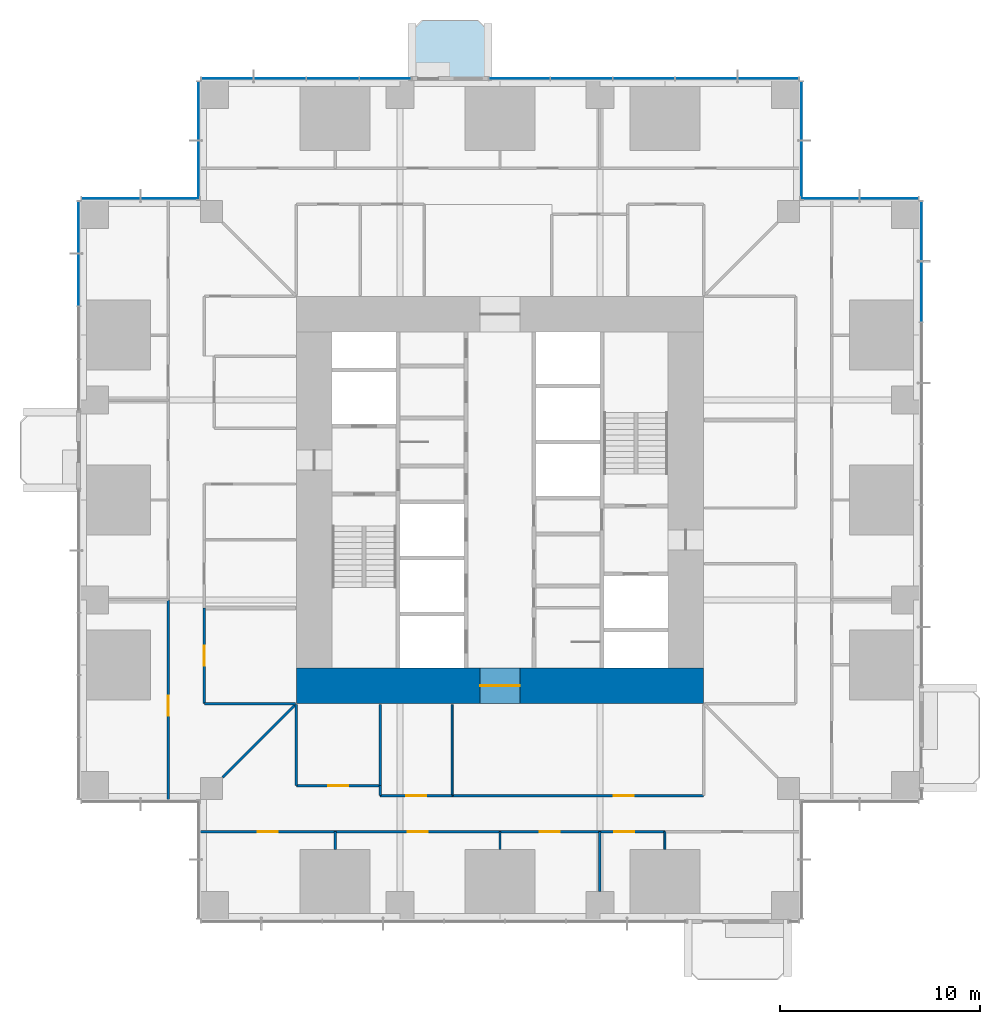
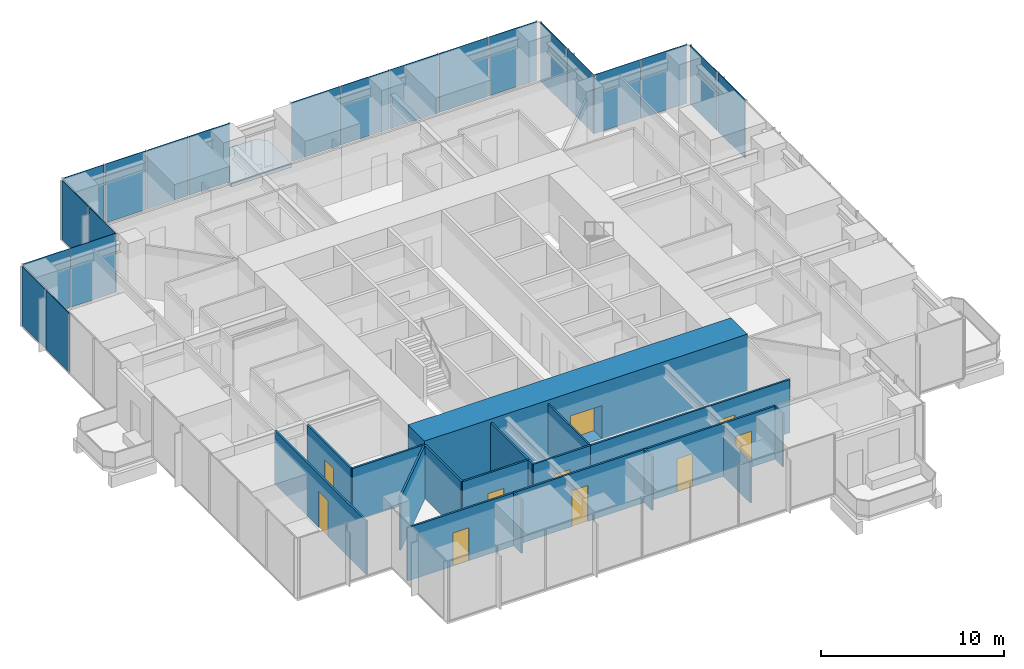
# One storey, part 9 of 17: 21 plates, 20 walls, 10 doors, 1 slab, 10 openings, 8 elements without a shape of their own.
"""IFC4 building model written with IfcOpenShell, lengths in metres."""

from ifc_helpers import new_model, si_unit, direction, frame, frame_2d, origin, origin_2d, place, context, subcontext, project, spatial, polyline, rectangle, outline, extrude, material, layer, layer_set, type_object, element, fill, aggregate, save


model = new_model("IFC4")

# Units and contexts
model_context = context("Model", 3, precision=1e-05, world=origin(), true_north=direction((0.0, 1.0)))
body_context = subcontext(model_context, "Body", "Model", "MODEL_VIEW")
ifc_project = project(units=[si_unit("LENGTHUNIT", "METRE"), si_unit("AREAUNIT", "SQUARE_METRE"), si_unit("VOLUMEUNIT", "CUBIC_METRE"), si_unit("PLANEANGLEUNIT", "RADIAN"), si_unit("MASSUNIT", "GRAM", prefix="KILO")], contexts=[model_context])

# Site, building, storey
site_placement = place(None, origin())
site = spatial("IfcSite", under=ifc_project, at=site_placement, CompositionType="ELEMENT")
building_placement = place(site_placement, origin())
building = spatial("IfcBuilding", under=site, at=building_placement, Name="Svetlomir Tower", CompositionType="ELEMENT")
storey_placement = place(building_placement, frame((0.0, 0.0, 82.5)))
storey = spatial("IfcBuildingStorey", under=building, at=storey_placement, Name="L19", CompositionType="ELEMENT", Elevation=82.5)

# Slab
ifc_material_1 = material(Name="Concrete C60/75", Category="concrete")
ifc_layer_1 = layer(ifc_material_1, 0.25)
ifc_layer_set_1 = layer_set([ifc_layer_1], Name="Concrete C60/75")
slab_type = type_object("IfcSlabType", Name="BALCONY SLAB 250", PredefinedType="FLOOR", material=ifc_layer_set_1)
slab_placement = place(storey_placement, frame((0.0, 0.0, -0.25)))
element("IfcSlab", 1, at=slab_placement, inside=storey, type_object=slab_type, Name="L19 N planted balcony", PredefinedType="FLOOR", context=body_context, shape_type="SweptSolid", body=[
    extrude(outline(polyline([(16.60009765625, 42.0), (20.39990234375, 42.0), (20.39990234375, 44.5), (19.89990234375, 45.0), (17.10009765625, 45.0), (16.60009765625, 44.5), (16.60009765625, 42.0)])), origin(), (0.0, 0.0, 1.0), 0.25),
])

# Curtain wall, plates
ifc_material_2 = material(Name="Bronze anodised aluminium curtain wall", Category="aluminium")
curtain_wall_type = type_object("IfcCurtainWallType", Name="CURTAIN WALL CW1 TOWER OFFICE", PredefinedType="NOTDEFINED", material=ifc_material_2)
curtain_wall_1_placement = place(storey_placement, origin())
curtain_wall_1 = element("IfcCurtainWall", 2, at=curtain_wall_1_placement, inside=storey, type_object=curtain_wall_type, Name="Curtain wall CW1 L19", PredefinedType="NOTDEFINED")
ifc_material_3 = material(Name="Tinted double glazed unit", Category="glass")
ifc_layer_2 = layer(ifc_material_3, 0.031982421875)
ifc_layer_set_2 = layer_set([ifc_layer_2], Name="Tinted double glazed unit")
plate_type = type_object("IfcPlateType", Name="CW1 GLAZED PANEL 32", PredefinedType="CURTAIN_PANEL", material=ifc_layer_set_2)
plate_1_placement = place(storey_placement, frame((42.10009765625, 31.425048828125, 0.06494140625), z_axis=(0.0, 0.0, 1.0), x_axis=(0.0, 1.0, 0.0)))
plate_1 = element("IfcPlate", 3, at=plate_1_placement, type_object=plate_type, Name="CW1 panel 7.1", PredefinedType="CURTAIN_PANEL", context=body_context, shape_type="SweptSolid", body=[
    extrude(rectangle(XDim=2.985107421875, YDim=0.031982421875, at=origin_2d()), origin(), (0.0, 0.0, 1.0), 3.93505859375),
])
plate_2_placement = place(storey_placement, frame((42.10009765625, 34.458740234375, 0.06494140625), z_axis=(0.0, 0.0, 1.0), x_axis=(0.0, 1.0, 0.0)))
plate_2 = element("IfcPlate", 4, at=plate_2_placement, type_object=plate_type, Name="CW1 panel 8.1", PredefinedType="CURTAIN_PANEL", context=body_context, shape_type="SweptSolid", body=[
    extrude(rectangle(XDim=2.952392578125, YDim=0.031982421875, at=origin_2d()), origin(), (0.0, 0.0, 1.0), 3.93505859375),
])
aggregate(curtain_wall_1, [plate_1, plate_2])

curtain_wall_2_placement = place(storey_placement, origin())
curtain_wall_2 = element("IfcCurtainWall", 5, at=curtain_wall_2_placement, inside=storey, type_object=curtain_wall_type, Name="Curtain wall CW1 L19", PredefinedType="NOTDEFINED")
plate_3_placement = place(storey_placement, frame((40.483642578125, 36.10009765625, 0.06494140625), z_axis=(0.0, 0.0, 1.0), x_axis=(-1.0, 0.0, 0.0)))
plate_3 = element("IfcPlate", 6, at=plate_3_placement, type_object=plate_type, Name="CW1 panel 1.1", PredefinedType="CURTAIN_PANEL", context=body_context, shape_type="SweptSolid", body=[
    extrude(rectangle(XDim=2.902587890625, YDim=0.031982421875, at=origin_2d()), origin(), (0.0, 0.0, 1.0), 3.93505859375),
])
plate_4_placement = place(storey_placement, frame((37.516357421875, 36.10009765625, 0.06494140625), z_axis=(0.0, 0.0, 1.0), x_axis=(-1.0, 0.0, 0.0)))
plate_4 = element("IfcPlate", 7, at=plate_4_placement, type_object=plate_type, Name="CW1 panel 2.1", PredefinedType="CURTAIN_PANEL", context=body_context, shape_type="SweptSolid", body=[
    extrude(rectangle(XDim=2.902587890625, YDim=0.031982421875, at=origin_2d()), origin(), (0.0, 0.0, 1.0), 3.93505859375),
])
aggregate(curtain_wall_2, [plate_3, plate_4])

curtain_wall_3_placement = place(storey_placement, origin())
curtain_wall_3 = element("IfcCurtainWall", 8, at=curtain_wall_3_placement, inside=storey, type_object=curtain_wall_type, Name="Curtain wall CW1 L19", PredefinedType="NOTDEFINED")
plate_5_placement = place(storey_placement, frame((36.10009765625, 37.516357421875, 0.06494140625), z_axis=(0.0, 0.0, 1.0), x_axis=(0.0, 1.0, 0.0)))
plate_5 = element("IfcPlate", 9, at=plate_5_placement, type_object=plate_type, Name="CW1 panel 1.1", PredefinedType="CURTAIN_PANEL", context=body_context, shape_type="SweptSolid", body=[
    extrude(rectangle(XDim=2.902587890625, YDim=0.031982421875, at=origin_2d()), origin(), (0.0, 0.0, 1.0), 3.93505859375),
])
plate_6_placement = place(storey_placement, frame((36.10009765625, 40.483642578125, 0.06494140625), z_axis=(0.0, 0.0, 1.0), x_axis=(0.0, 1.0, 0.0)))
plate_6 = element("IfcPlate", 10, at=plate_6_placement, type_object=plate_type, Name="CW1 panel 2.1", PredefinedType="CURTAIN_PANEL", context=body_context, shape_type="SweptSolid", body=[
    extrude(rectangle(XDim=2.902587890625, YDim=0.031982421875, at=origin_2d()), origin(), (0.0, 0.0, 1.0), 3.93505859375),
])
aggregate(curtain_wall_3, [plate_5, plate_6])

curtain_wall_4_placement = place(storey_placement, origin())
curtain_wall_4 = element("IfcCurtainWall", 11, at=curtain_wall_4_placement, inside=storey, type_object=curtain_wall_type, Name="Curtain wall CW1 L19", PredefinedType="NOTDEFINED")
plate_7_placement = place(storey_placement, frame((34.423828125, 42.10009765625, 0.06494140625), z_axis=(0.0, 0.0, 1.0), x_axis=(-1.0, 0.0, 0.0)))
plate_7 = element("IfcPlate", 12, at=plate_7_placement, type_object=plate_type, Name="CW1 panel 1.1", PredefinedType="CURTAIN_PANEL", context=body_context, shape_type="SweptSolid", body=[
    extrude(rectangle(XDim=3.0224609375, YDim=0.031982421875, at=origin_2d()), origin(), (0.0, 0.0, 1.0), 3.93505859375),
])
plate_8_placement = place(storey_placement, frame((31.320068359375, 42.10009765625, 0.06494140625), z_axis=(0.0, 0.0, 1.0), x_axis=(-1.0, 0.0, 0.0)))
plate_8 = element("IfcPlate", 13, at=plate_8_placement, type_object=plate_type, Name="CW1 panel 2.1", PredefinedType="CURTAIN_PANEL", context=body_context, shape_type="SweptSolid", body=[
    extrude(rectangle(XDim=3.054931640625, YDim=0.031982421875, at=origin_2d()), origin(), (0.0, 0.0, 1.0), 3.93505859375),
])
plate_9_placement = place(storey_placement, frame((28.199951171875, 42.10009765625, 0.06494140625), z_axis=(0.0, 0.0, 1.0), x_axis=(-1.0, 0.0, 0.0)))
plate_9 = element("IfcPlate", 14, at=plate_9_placement, type_object=plate_type, Name="CW1 panel 3.1", PredefinedType="CURTAIN_PANEL", context=body_context, shape_type="SweptSolid", body=[
    extrude(rectangle(XDim=3.054931640625, YDim=0.031982421875, at=origin_2d()), origin(), (0.0, 0.0, 1.0), 3.93505859375),
])
plate_10_placement = place(storey_placement, frame((25.080078125, 42.10009765625, 0.06494140625), z_axis=(0.0, 0.0, 1.0), x_axis=(-1.0, 0.0, 0.0)))
plate_10 = element("IfcPlate", 15, at=plate_10_placement, type_object=plate_type, Name="CW1 panel 4.1", PredefinedType="CURTAIN_PANEL", context=body_context, shape_type="SweptSolid", body=[
    extrude(rectangle(XDim=3.054931640625, YDim=0.031982421875, at=origin_2d()), origin(), (0.0, 0.0, 1.0), 3.93505859375),
])
plate_11_placement = place(storey_placement, frame((21.976318359375, 42.10009765625, 0.06494140625), z_axis=(0.0, 0.0, 1.0), x_axis=(-1.0, 0.0, 0.0)))
plate_11 = element("IfcPlate", 16, at=plate_11_placement, type_object=plate_type, Name="CW1 panel 5.1", PredefinedType="CURTAIN_PANEL", context=body_context, shape_type="SweptSolid", body=[
    extrude(rectangle(XDim=3.0224609375, YDim=0.031982421875, at=origin_2d()), origin(), (0.0, 0.0, 1.0), 3.93505859375),
])
aggregate(curtain_wall_4, [plate_7, plate_8, plate_9, plate_10, plate_11])

curtain_wall_5_placement = place(storey_placement, origin())
curtain_wall_5 = element("IfcCurtainWall", 17, at=curtain_wall_5_placement, inside=storey, type_object=curtain_wall_type, Name="Curtain wall CW1 L19", PredefinedType="NOTDEFINED")
plate_12_placement = place(storey_placement, frame((15.2587890625, 42.10009765625, 0.06494140625), z_axis=(0.0, 0.0, 1.0), x_axis=(-1.0, 0.0, 0.0)))
plate_12 = element("IfcPlate", 18, at=plate_12_placement, type_object=plate_type, Name="CW1 panel 1.1", PredefinedType="CURTAIN_PANEL", context=body_context, shape_type="SweptSolid", body=[
    extrude(rectangle(XDim=2.552490234375, YDim=0.031982421875, at=origin_2d()), origin(), (0.0, 0.0, 1.0), 3.93505859375),
])
plate_13_placement = place(storey_placement, frame((12.625, 42.10009765625, 0.06494140625), z_axis=(0.0, 0.0, 1.0), x_axis=(-1.0, 0.0, 0.0)))
plate_13 = element("IfcPlate", 19, at=plate_13_placement, type_object=plate_type, Name="CW1 panel 2.1", PredefinedType="CURTAIN_PANEL", context=body_context, shape_type="SweptSolid", body=[
    extrude(rectangle(XDim=2.5849609375, YDim=0.031982421875, at=origin_2d()), origin(), (0.0, 0.0, 1.0), 3.93505859375),
])
plate_14_placement = place(storey_placement, frame((9.97509765625, 42.10009765625, 0.06494140625), z_axis=(0.0, 0.0, 1.0), x_axis=(-1.0, 0.0, 0.0)))
plate_14 = element("IfcPlate", 20, at=plate_14_placement, type_object=plate_type, Name="CW1 panel 3.1", PredefinedType="CURTAIN_PANEL", context=body_context, shape_type="SweptSolid", body=[
    extrude(rectangle(XDim=2.5849609375, YDim=0.031982421875, at=origin_2d()), origin(), (0.0, 0.0, 1.0), 3.93505859375),
])
plate_15_placement = place(storey_placement, frame((7.34130859375, 42.10009765625, 0.06494140625), z_axis=(0.0, 0.0, 1.0), x_axis=(-1.0, 0.0, 0.0)))
plate_15 = element("IfcPlate", 21, at=plate_15_placement, type_object=plate_type, Name="CW1 panel 4.1", PredefinedType="CURTAIN_PANEL", context=body_context, shape_type="SweptSolid", body=[
    extrude(rectangle(XDim=2.552490234375, YDim=0.031982421875, at=origin_2d()), origin(), (0.0, 0.0, 1.0), 3.93505859375),
])
aggregate(curtain_wall_5, [plate_12, plate_13, plate_14, plate_15])

curtain_wall_6_placement = place(storey_placement, origin())
curtain_wall_6 = element("IfcCurtainWall", 22, at=curtain_wall_6_placement, inside=storey, type_object=curtain_wall_type, Name="Curtain wall CW1 L19", PredefinedType="NOTDEFINED")
plate_16_placement = place(storey_placement, frame((5.89990234375, 40.483642578125, 0.06494140625), z_axis=(0.0, 0.0, 1.0), x_axis=(0.0, -1.0, 0.0)))
plate_16 = element("IfcPlate", 23, at=plate_16_placement, type_object=plate_type, Name="CW1 panel 1.1", PredefinedType="CURTAIN_PANEL", context=body_context, shape_type="SweptSolid", body=[
    extrude(rectangle(XDim=2.902587890625, YDim=0.031982421875, at=origin_2d()), origin(), (0.0, 0.0, 1.0), 3.93505859375),
])
plate_17_placement = place(storey_placement, frame((5.89990234375, 37.516357421875, 0.06494140625), z_axis=(0.0, 0.0, 1.0), x_axis=(0.0, -1.0, 0.0)))
plate_17 = element("IfcPlate", 24, at=plate_17_placement, type_object=plate_type, Name="CW1 panel 2.1", PredefinedType="CURTAIN_PANEL", context=body_context, shape_type="SweptSolid", body=[
    extrude(rectangle(XDim=2.902587890625, YDim=0.031982421875, at=origin_2d()), origin(), (0.0, 0.0, 1.0), 3.93505859375),
])
aggregate(curtain_wall_6, [plate_16, plate_17])

curtain_wall_7_placement = place(storey_placement, origin())
curtain_wall_7 = element("IfcCurtainWall", 25, at=curtain_wall_7_placement, inside=storey, type_object=curtain_wall_type, Name="Curtain wall CW1 L19", PredefinedType="NOTDEFINED")
plate_18_placement = place(storey_placement, frame((4.483642578125, 36.10009765625, 0.06494140625), z_axis=(0.0, 0.0, 1.0), x_axis=(-1.0, 0.0, 0.0)))
plate_18 = element("IfcPlate", 26, at=plate_18_placement, type_object=plate_type, Name="CW1 panel 1.1", PredefinedType="CURTAIN_PANEL", context=body_context, shape_type="SweptSolid", body=[
    extrude(rectangle(XDim=2.902587890625, YDim=0.031982421875, at=origin_2d()), origin(), (0.0, 0.0, 1.0), 3.93505859375),
])
plate_19_placement = place(storey_placement, frame((1.516357421875, 36.10009765625, 0.06494140625), z_axis=(0.0, 0.0, 1.0), x_axis=(-1.0, 0.0, 0.0)))
plate_19 = element("IfcPlate", 27, at=plate_19_placement, type_object=plate_type, Name="CW1 panel 2.1", PredefinedType="CURTAIN_PANEL", context=body_context, shape_type="SweptSolid", body=[
    extrude(rectangle(XDim=2.902587890625, YDim=0.031982421875, at=origin_2d()), origin(), (0.0, 0.0, 1.0), 3.93505859375),
])
aggregate(curtain_wall_7, [plate_18, plate_19])

curtain_wall_8_placement = place(storey_placement, origin())
curtain_wall_8 = element("IfcCurtainWall", 28, at=curtain_wall_8_placement, inside=storey, type_object=curtain_wall_type, Name="Curtain wall CW1 L19", PredefinedType="NOTDEFINED")
plate_20_placement = place(storey_placement, frame((-0.10009765625, 34.65869140625, 0.06494140625), z_axis=(0.0, 0.0, 1.0), x_axis=(0.0, -1.0, 0.0)))
plate_20 = element("IfcPlate", 29, at=plate_20_placement, type_object=plate_type, Name="CW1 panel 1.1", PredefinedType="CURTAIN_PANEL", context=body_context, shape_type="SweptSolid", body=[
    extrude(rectangle(XDim=2.552490234375, YDim=0.031982421875, at=origin_2d()), origin(), (0.0, 0.0, 1.0), 3.93505859375),
])
plate_21_placement = place(storey_placement, frame((-0.10009765625, 32.02490234375, 0.06494140625), z_axis=(0.0, 0.0, 1.0), x_axis=(0.0, -1.0, 0.0)))
plate_21 = element("IfcPlate", 30, at=plate_21_placement, type_object=plate_type, Name="CW1 panel 2.1", PredefinedType="CURTAIN_PANEL", context=body_context, shape_type="SweptSolid", body=[
    extrude(rectangle(XDim=2.5849609375, YDim=0.031982421875, at=origin_2d()), origin(), (0.0, 0.0, 1.0), 3.93505859375),
])
aggregate(curtain_wall_8, [plate_20, plate_21])

# Wall, opening, door
ifc_material_4 = material(Name="Concrete C60/75", Category="concrete")
ifc_layer_3 = layer(ifc_material_4, 1.800048828125)
ifc_layer_set_3 = layer_set([ifc_layer_3], Name="Concrete C60/75")
wall_type_1 = type_object("IfcWallType", Name="CORE WALL 1800", PredefinedType="SHEAR", material=ifc_layer_set_3)
wall_1_placement = place(storey_placement, frame((10.800048828125, 11.699951171875, -0.050048828125), z_axis=(0.0, 0.0, 1.0), x_axis=(1.0, 0.0, 0.0)))
wall_1 = element("IfcWall", 31, at=wall_1_placement, inside=storey, type_object=wall_type_1, Name="Core wall south L19", PredefinedType="SHEAR", context=body_context, shape_type="SweptSolid", body=[
    extrude(rectangle(XDim=20.39990234375, YDim=1.800048828125, at=frame_2d((10.199951171875, 0.0))), origin(), (0.0, 0.0, 1.0), 3.800048828125),
])
opening_1_placement = place(wall_1_placement, frame((9.199951171875, 0.0, 0.050048828125)))
opening_1 = element("IfcOpeningElement", 32, at=opening_1_placement, cuts=wall_1, Name="Opening DL", PredefinedType="OPENING", context=body_context, shape_type="SweptSolid", body=[
    extrude(rectangle(XDim=2.0, YDim=2.199951171875, at=frame_2d((1.0, 1.10009765625))), frame((0.0, 0.91015625, 0.0), z_axis=(0.0, -1.0, 0.0), x_axis=(1.0, 0.0, 0.0)), (0.0, 0.0, 1.0), 1.820068359375),
])
ifc_material_5 = material(Name="Steel fire door", Category="steel")
door_type_1 = type_object("IfcDoorType", Name="DOOR DL 2000x2200", OperationType="DOUBLE_DOOR_SINGLE_SWING", PredefinedType="DOOR", material=ifc_material_5)
door_1_placement = place(opening_1_placement, origin())
door_1 = element("IfcDoor", 33, at=door_1_placement, inside=storey, type_object=door_type_1, Name="Lift lobby south door L19", OperationType="DOUBLE_DOOR_SINGLE_SWING", OverallHeight=2.199951171875, OverallWidth=2.0, PredefinedType="DOOR", context=body_context, shape_type="SweptSolid", body=[
    extrude(rectangle(XDim=2.0, YDim=2.199951171875, at=frame_2d((1.0, 1.10009765625))), frame((0.0, 0.02490234375, 0.0), z_axis=(0.0, -1.0, 0.0), x_axis=(1.0, 0.0, 0.0)), (0.0, 0.0, 1.0), 0.050048828125),
])
fill(opening_1, door_1)

# Walls
ifc_material_6 = material(Name="Framed laminated glass partition", Category="glass")
ifc_layer_4 = layer(ifc_material_6, 0.10009765625)
ifc_layer_set_4 = layer_set([ifc_layer_4], Name="Framed laminated glass partition")
wall_type_2 = type_object("IfcWallType", Name="GLAZED PARTITION 100", PredefinedType="PARTITIONING", material=ifc_layer_set_4)
wall_2_placement = place(storey_placement, frame((18.60009765625, 6.199951171875, 0.0), z_axis=(0.0, 0.0, 1.0), x_axis=(0.0, 1.0, 0.0)))
element("IfcWall", 34, at=wall_2_placement, inside=storey, type_object=wall_type_2, Name="Glazed partition L19", PredefinedType="PARTITIONING", context=body_context, shape_type="SweptSolid", body=[
    extrude(rectangle(XDim=4.550048828125, YDim=0.10009765625, at=frame_2d((2.27490234375, 0.0))), origin(), (0.0, 0.0, 1.0), 3.550048828125),
])
wall_3_placement = place(storey_placement, frame((29.25, 3.510009765625, 0.0), z_axis=(0.0, 0.0, 1.0), x_axis=(0.0, 1.0, 0.0)))
element("IfcWall", 35, at=wall_3_placement, inside=storey, type_object=wall_type_2, Name="Glazed partition L19", PredefinedType="PARTITIONING", context=body_context, shape_type="SweptSolid", body=[
    extrude(rectangle(XDim=0.889892578125, YDim=0.10009765625, at=frame_2d((0.44482421875, 0.0))), origin(), (0.0, 0.0, 1.0), 3.550048828125),
])

# Wall, opening, door
ifc_material_7 = material(Name="Gypsum board on steel studs", Category="steel")
ifc_layer_5 = layer(ifc_material_7, 0.1201171875)
ifc_layer_set_5 = layer_set([ifc_layer_5], Name="Gypsum board on steel studs")
wall_type_3 = type_object("IfcWallType", Name="PARTITION 120", PredefinedType="PARTITIONING", material=ifc_layer_set_5)
wall_4_placement = place(storey_placement, frame((4.39990234375, 6.0, 0.0), z_axis=(0.0, 0.0, 1.0), x_axis=(0.0, 1.0, 0.0)))
wall_4 = element("IfcWall", 36, at=wall_4_placement, inside=storey, type_object=wall_type_3, Name="Partition L19", PredefinedType="PARTITIONING", context=body_context, shape_type="SweptSolid", body=[
    extrude(rectangle(XDim=10.0, YDim=0.1201171875, at=frame_2d((5.0, 0.0))), origin(), (0.0, 0.0, 1.0), 3.550048828125),
])
opening_2_placement = place(wall_4_placement, frame((4.199951171875, 0.0, 0.0)))
opening_2 = element("IfcOpeningElement", 37, at=opening_2_placement, cuts=wall_4, Name="Opening DG", PredefinedType="OPENING", context=body_context, shape_type="SweptSolid", body=[
    extrude(rectangle(XDim=1.0, YDim=2.39990234375, at=frame_2d((0.5, 1.199951171875))), frame((0.0, 0.070068359375, 0.0), z_axis=(0.0, -1.0, 0.0), x_axis=(1.0, 0.0, 0.0)), (0.0, 0.0, 1.0), 0.14013671875),
])
ifc_material_8 = material(Name="Framed laminated glass door", Category="glass")
door_type_2 = type_object("IfcDoorType", Name="GLAZED DOOR DG 1000x2400", OperationType="SINGLE_SWING_LEFT", PredefinedType="DOOR", material=ifc_material_8)
door_2_placement = place(opening_2_placement, origin())
door_2 = element("IfcDoor", 38, at=door_2_placement, inside=storey, type_object=door_type_2, Name="Ring corridor 3 door 1 L19", OperationType="SINGLE_SWING_LEFT", OverallHeight=2.39990234375, OverallWidth=1.0, PredefinedType="DOOR", context=body_context, shape_type="SweptSolid", body=[
    extrude(rectangle(XDim=1.0, YDim=2.39990234375, at=frame_2d((0.5, 1.199951171875))), frame((0.0, 0.02490234375, 0.0), z_axis=(0.0, -1.0, 0.0), x_axis=(1.0, 0.0, 0.0)), (0.0, 0.0, 1.0), 0.050048828125),
])
fill(opening_2, door_2)

wall_5_placement = place(storey_placement, frame((6.0, 4.39990234375, 0.0), z_axis=(0.0, 0.0, 1.0), x_axis=(1.0, 0.0, 0.0)))
wall_5 = element("IfcWall", 39, at=wall_5_placement, inside=storey, type_object=wall_type_3, Name="Partition L19", PredefinedType="PARTITIONING", context=body_context, shape_type="SweptSolid", body=[
    extrude(rectangle(XDim=6.75, YDim=0.1201171875, at=frame_2d((3.375, 0.0))), origin(), (0.0, 0.0, 1.0), 3.550048828125),
])
opening_3_placement = place(wall_5_placement, frame((2.875, 0.0, 0.0)))
opening_3 = element("IfcOpeningElement", 40, at=opening_3_placement, cuts=wall_5, Name="Opening DR", PredefinedType="OPENING", context=body_context, shape_type="SweptSolid", body=[
    extrude(rectangle(XDim=1.0, YDim=2.199951171875, at=frame_2d((0.5, 1.10009765625))), frame((0.0, 0.070068359375, 0.0), z_axis=(0.0, -1.0, 0.0), x_axis=(1.0, 0.0, 0.0)), (0.0, 0.0, 1.0), 0.14013671875),
])
ifc_material_9 = material(Name="Timber door, glazed side light", Category="wood")
door_type_3 = type_object("IfcDoorType", Name="DOOR DR 1000x2200", OperationType="SINGLE_SWING_LEFT", PredefinedType="DOOR", material=ifc_material_9)
door_3_placement = place(opening_3_placement, origin())
door_3 = element("IfcDoor", 41, at=door_3_placement, inside=storey, type_object=door_type_3, Name="Audit manager office door L19", OperationType="SINGLE_SWING_RIGHT", OverallHeight=2.199951171875, OverallWidth=1.0, PredefinedType="DOOR", context=body_context, shape_type="SweptSolid", body=[
    extrude(rectangle(XDim=1.0, YDim=2.199951171875, at=frame_2d((0.5, 1.10009765625))), frame((0.0, 0.02490234375, 0.0), z_axis=(0.0, -1.0, 0.0), x_axis=(1.0, 0.0, 0.0)), (0.0, 0.0, 1.0), 0.050048828125),
])
fill(opening_3, door_3)

wall_6_placement = place(storey_placement, frame((6.199951171875, 10.800048828125, 0.0), z_axis=(0.0, 0.0, 1.0), x_axis=(0.0, 1.0, 0.0)))
wall_6 = element("IfcWall", 42, at=wall_6_placement, inside=storey, type_object=wall_type_3, Name="Partition L19", PredefinedType="PARTITIONING", context=body_context, shape_type="SweptSolid", body=[
    extrude(rectangle(XDim=4.800048828125, YDim=0.1201171875, at=frame_2d((2.39990234375, 0.0))), origin(), (0.0, 0.0, 1.0), 3.550048828125),
])
opening_4_placement = place(wall_6_placement, frame((1.89990234375, 0.0, 0.0)))
opening_4 = element("IfcOpeningElement", 43, at=opening_4_placement, cuts=wall_6, Name="Opening DG", PredefinedType="OPENING", context=body_context, shape_type="SweptSolid", body=[
    extrude(rectangle(XDim=1.0, YDim=2.39990234375, at=frame_2d((0.5, 1.199951171875))), frame((0.0, 0.070068359375, 0.0), z_axis=(0.0, -1.0, 0.0), x_axis=(1.0, 0.0, 0.0)), (0.0, 0.0, 1.0), 0.14013671875),
])
door_4_placement = place(opening_4_placement, origin())
door_4 = element("IfcDoor", 44, at=door_4_placement, inside=storey, type_object=door_type_2, Name="Meeting room, 4 seats door L19", OperationType="SINGLE_SWING_LEFT", OverallHeight=2.39990234375, OverallWidth=1.0, PredefinedType="DOOR", context=body_context, shape_type="SweptSolid", body=[
    extrude(rectangle(XDim=1.0, YDim=2.39990234375, at=frame_2d((0.5, 1.199951171875))), frame((0.0, 0.02490234375, 0.0), z_axis=(0.0, -1.0, 0.0), x_axis=(1.0, 0.0, 0.0)), (0.0, 0.0, 1.0), 0.050048828125),
])
fill(opening_4, door_4)

# Walls
wall_7_placement = place(storey_placement, frame((6.199951171875, 10.800048828125, 0.0), z_axis=(0.0, 0.0, 1.0), x_axis=(1.0, 0.0, 0.0)))
element("IfcWall", 45, at=wall_7_placement, inside=storey, type_object=wall_type_3, Name="Partition L19", PredefinedType="PARTITIONING", context=body_context, shape_type="SweptSolid", body=[
    extrude(rectangle(XDim=4.550048828125, YDim=0.1201171875, at=frame_2d((2.27490234375, 0.0))), origin(), (0.0, 0.0, 1.0), 3.550048828125),
])
wall_8_placement = place(storey_placement, frame((7.110107421875, 7.110107421875, 0.0), z_axis=(0.0, 0.0, 1.0), x_axis=(0.707106781187, 0.707106781187, 0.0)))
element("IfcWall", 46, at=wall_8_placement, inside=storey, type_object=wall_type_3, Name="Partition L19", PredefinedType="PARTITIONING", context=body_context, shape_type="SweptSolid", body=[
    extrude(rectangle(XDim=5.168212890625, YDim=0.1201171875, at=frame_2d((2.583984375, 0.0))), origin(), (0.0, 0.0, 1.0), 3.550048828125),
])
wall_9_placement = place(storey_placement, frame((10.800048828125, 6.699951171875, 0.0), z_axis=(0.0, 0.0, 1.0), x_axis=(0.0, 1.0, 0.0)))
element("IfcWall", 47, at=wall_9_placement, inside=storey, type_object=wall_type_3, Name="Partition L19", PredefinedType="PARTITIONING", context=body_context, shape_type="SweptSolid", body=[
    extrude(rectangle(XDim=4.050048828125, YDim=0.1201171875, at=frame_2d((2.02490234375, 0.0))), origin(), (0.0, 0.0, 1.0), 3.550048828125),
])

# Wall, opening, door
wall_10_placement = place(storey_placement, frame((10.800048828125, 6.699951171875, 0.0), z_axis=(0.0, 0.0, 1.0), x_axis=(1.0, 0.0, 0.0)))
wall_10 = element("IfcWall", 48, at=wall_10_placement, inside=storey, type_object=wall_type_3, Name="Partition L19", PredefinedType="PARTITIONING", context=body_context, shape_type="SweptSolid", body=[
    extrude(rectangle(XDim=4.199951171875, YDim=0.1201171875, at=frame_2d((2.10009765625, 0.0))), origin(), (0.0, 0.0, 1.0), 3.550048828125),
])
opening_5_placement = place(wall_10_placement, frame((1.60009765625, 0.0, 0.0)))
opening_5 = element("IfcOpeningElement", 49, at=opening_5_placement, cuts=wall_10, Name="Opening DR", PredefinedType="OPENING", context=body_context, shape_type="SweptSolid", body=[
    extrude(rectangle(XDim=1.0, YDim=2.199951171875, at=frame_2d((0.5, 1.10009765625))), frame((0.0, 0.070068359375, 0.0), z_axis=(0.0, -1.0, 0.0), x_axis=(1.0, 0.0, 0.0)), (0.0, 0.0, 1.0), 0.14013671875),
])
door_5_placement = place(opening_5_placement, origin())
door_5 = element("IfcDoor", 50, at=door_5_placement, inside=storey, type_object=door_type_3, Name="Audit file room door L19", OperationType="SINGLE_SWING_LEFT", OverallHeight=2.199951171875, OverallWidth=1.0, PredefinedType="DOOR", context=body_context, shape_type="SweptSolid", body=[
    extrude(rectangle(XDim=1.0, YDim=2.199951171875, at=frame_2d((0.5, 1.10009765625))), frame((0.0, 0.02490234375, 0.0), z_axis=(0.0, -1.0, 0.0), x_axis=(1.0, 0.0, 0.0)), (0.0, 0.0, 1.0), 0.050048828125),
])
fill(opening_5, door_5)

# Wall
wall_11_placement = place(storey_placement, frame((12.75, 3.510009765625, 0.0), z_axis=(0.0, 0.0, 1.0), x_axis=(0.0, 1.0, 0.0)))
element("IfcWall", 51, at=wall_11_placement, inside=storey, type_object=wall_type_3, Name="Partition L19", PredefinedType="PARTITIONING", context=body_context, shape_type="SweptSolid", body=[
    extrude(rectangle(XDim=0.889892578125, YDim=0.1201171875, at=frame_2d((0.44482421875, 0.0))), origin(), (0.0, 0.0, 1.0), 3.550048828125),
])

# Wall, opening, door
wall_12_placement = place(storey_placement, frame((12.75, 4.39990234375, 0.0), z_axis=(0.0, 0.0, 1.0), x_axis=(1.0, 0.0, 0.0)))
wall_12 = element("IfcWall", 52, at=wall_12_placement, inside=storey, type_object=wall_type_3, Name="Partition L19", PredefinedType="PARTITIONING", context=body_context, shape_type="SweptSolid", body=[
    extrude(rectangle(XDim=8.25, YDim=0.1201171875, at=frame_2d((4.125, 0.0))), origin(), (0.0, 0.0, 1.0), 3.550048828125),
])
opening_6_placement = place(wall_12_placement, frame((3.625, 0.0, 0.0)))
opening_6 = element("IfcOpeningElement", 53, at=opening_6_placement, cuts=wall_12, Name="Opening DG", PredefinedType="OPENING", context=body_context, shape_type="SweptSolid", body=[
    extrude(rectangle(XDim=1.0, YDim=2.39990234375, at=frame_2d((0.5, 1.199951171875))), frame((0.0, 0.070068359375, 0.0), z_axis=(0.0, -1.0, 0.0), x_axis=(1.0, 0.0, 0.0)), (0.0, 0.0, 1.0), 0.14013671875),
])
door_6_placement = place(opening_6_placement, origin())
door_6 = element("IfcDoor", 54, at=door_6_placement, inside=storey, type_object=door_type_2, Name="Ring corridor 1 door 1 L19", OperationType="SINGLE_SWING_RIGHT", OverallHeight=2.39990234375, OverallWidth=1.0, PredefinedType="DOOR", context=body_context, shape_type="SweptSolid", body=[
    extrude(rectangle(XDim=1.0, YDim=2.39990234375, at=frame_2d((0.5, 1.199951171875))), frame((0.0, 0.02490234375, 0.0), z_axis=(0.0, -1.0, 0.0), x_axis=(1.0, 0.0, 0.0)), (0.0, 0.0, 1.0), 0.050048828125),
])
fill(opening_6, door_6)

# Wall
wall_13_placement = place(storey_placement, frame((15.0, 6.199951171875, 0.0), z_axis=(0.0, 0.0, 1.0), x_axis=(0.0, 1.0, 0.0)))
element("IfcWall", 55, at=wall_13_placement, inside=storey, type_object=wall_type_3, Name="Partition L19", PredefinedType="PARTITIONING", context=body_context, shape_type="SweptSolid", body=[
    extrude(rectangle(XDim=0.5, YDim=0.1201171875, at=frame_2d((0.25, 0.0))), origin(), (0.0, 0.0, 1.0), 3.550048828125),
])

# Wall, opening, door
wall_14_placement = place(storey_placement, frame((15.0, 6.199951171875, 0.0), z_axis=(0.0, 0.0, 1.0), x_axis=(1.0, 0.0, 0.0)))
wall_14 = element("IfcWall", 56, at=wall_14_placement, inside=storey, type_object=wall_type_3, Name="Partition L19", PredefinedType="PARTITIONING", context=body_context, shape_type="SweptSolid", body=[
    extrude(rectangle(XDim=3.60009765625, YDim=0.1201171875, at=frame_2d((1.800048828125, 0.0))), origin(), (0.0, 0.0, 1.0), 3.550048828125),
])
opening_7_placement = place(wall_14_placement, frame((1.300048828125, 0.0, 0.0)))
opening_7 = element("IfcOpeningElement", 57, at=opening_7_placement, cuts=wall_14, Name="Opening DG", PredefinedType="OPENING", context=body_context, shape_type="SweptSolid", body=[
    extrude(rectangle(XDim=1.0, YDim=2.39990234375, at=frame_2d((0.5, 1.199951171875))), frame((0.0, 0.070068359375, 0.0), z_axis=(0.0, -1.0, 0.0), x_axis=(1.0, 0.0, 0.0)), (0.0, 0.0, 1.0), 0.14013671875),
])
door_7_placement = place(opening_7_placement, origin())
door_7 = element("IfcDoor", 58, at=door_7_placement, inside=storey, type_object=door_type_2, Name="Secure interview room door L19", OperationType="SINGLE_SWING_RIGHT", OverallHeight=2.39990234375, OverallWidth=1.0, PredefinedType="DOOR", context=body_context, shape_type="SweptSolid", body=[
    extrude(rectangle(XDim=1.0, YDim=2.39990234375, at=frame_2d((0.5, 1.199951171875))), frame((0.0, 0.02490234375, 0.0), z_axis=(0.0, -1.0, 0.0), x_axis=(1.0, 0.0, 0.0)), (0.0, 0.0, 1.0), 0.050048828125),
])
fill(opening_7, door_7)

# Wall
wall_15_placement = place(storey_placement, frame((15.0, 6.699951171875, 0.0), z_axis=(0.0, 0.0, 1.0), x_axis=(0.0, 1.0, 0.0)))
element("IfcWall", 59, at=wall_15_placement, inside=storey, type_object=wall_type_3, Name="Partition L19", PredefinedType="PARTITIONING", context=body_context, shape_type="SweptSolid", body=[
    extrude(rectangle(XDim=4.050048828125, YDim=0.1201171875, at=frame_2d((2.02490234375, 0.0))), origin(), (0.0, 0.0, 1.0), 3.550048828125),
])

# Wall, opening, door
wall_16_placement = place(storey_placement, frame((18.60009765625, 6.199951171875, 0.0), z_axis=(0.0, 0.0, 1.0), x_axis=(1.0, 0.0, 0.0)))
wall_16 = element("IfcWall", 60, at=wall_16_placement, inside=storey, type_object=wall_type_3, Name="Partition L19", PredefinedType="PARTITIONING", context=body_context, shape_type="SweptSolid", body=[
    extrude(rectangle(XDim=12.599853515625, YDim=0.1201171875, at=frame_2d((6.2998046875, 0.0))), origin(), (0.0, 0.0, 1.0), 3.550048828125),
])
opening_8_placement = place(wall_16_placement, frame((8.10009765625, 0.0, 0.0)))
opening_8 = element("IfcOpeningElement", 61, at=opening_8_placement, cuts=wall_16, Name="Opening DG", PredefinedType="OPENING", context=body_context, shape_type="SweptSolid", body=[
    extrude(rectangle(XDim=1.0, YDim=2.39990234375, at=frame_2d((0.5, 1.199951171875))), frame((0.0, 0.070068359375, 0.0), z_axis=(0.0, -1.0, 0.0), x_axis=(1.0, 0.0, 0.0)), (0.0, 0.0, 1.0), 0.14013671875),
])
door_8_placement = place(opening_8_placement, origin())
door_8 = element("IfcDoor", 62, at=door_8_placement, inside=storey, type_object=door_type_2, Name="Ring corridor 1 door 3 L19", OperationType="SINGLE_SWING_RIGHT", OverallHeight=2.39990234375, OverallWidth=1.0, PredefinedType="DOOR", context=body_context, shape_type="SweptSolid", body=[
    extrude(rectangle(XDim=1.0, YDim=2.39990234375, at=frame_2d((0.5, 1.199951171875))), frame((0.0, 0.02490234375, 0.0), z_axis=(0.0, -1.0, 0.0), x_axis=(1.0, 0.0, 0.0)), (0.0, 0.0, 1.0), 0.050048828125),
])
fill(opening_8, door_8)

# Wall
wall_17_placement = place(storey_placement, frame((21.0, 3.510009765625, 0.0), z_axis=(0.0, 0.0, 1.0), x_axis=(0.0, 1.0, 0.0)))
element("IfcWall", 63, at=wall_17_placement, inside=storey, type_object=wall_type_3, Name="Partition L19", PredefinedType="PARTITIONING", context=body_context, shape_type="SweptSolid", body=[
    extrude(rectangle(XDim=0.889892578125, YDim=0.1201171875, at=frame_2d((0.44482421875, 0.0))), origin(), (0.0, 0.0, 1.0), 3.550048828125),
])

# Wall, opening, door
wall_18_placement = place(storey_placement, frame((21.0, 4.39990234375, 0.0), z_axis=(0.0, 0.0, 1.0), x_axis=(1.0, 0.0, 0.0)))
wall_18 = element("IfcWall", 64, at=wall_18_placement, inside=storey, type_object=wall_type_3, Name="Partition L19", PredefinedType="PARTITIONING", context=body_context, shape_type="SweptSolid", body=[
    extrude(rectangle(XDim=5.0, YDim=0.1201171875, at=frame_2d((2.5, 0.0))), origin(), (0.0, 0.0, 1.0), 3.550048828125),
])
opening_9_placement = place(wall_18_placement, frame((2.0, 0.0, 0.0)))
opening_9 = element("IfcOpeningElement", 65, at=opening_9_placement, cuts=wall_18, Name="Opening DR", PredefinedType="OPENING", context=body_context, shape_type="SweptSolid", body=[
    extrude(rectangle(XDim=1.0, YDim=2.199951171875, at=frame_2d((0.5, 1.10009765625))), frame((0.0, 0.070068359375, 0.0), z_axis=(0.0, -1.0, 0.0), x_axis=(1.0, 0.0, 0.0)), (0.0, 0.0, 1.0), 0.14013671875),
])
door_9_placement = place(opening_9_placement, origin())
door_9 = element("IfcDoor", 66, at=door_9_placement, inside=storey, type_object=door_type_3, Name="Senior auditor office door L19", OperationType="SINGLE_SWING_RIGHT", OverallHeight=2.199951171875, OverallWidth=1.0, PredefinedType="DOOR", context=body_context, shape_type="SweptSolid", body=[
    extrude(rectangle(XDim=1.0, YDim=2.199951171875, at=frame_2d((0.5, 1.10009765625))), frame((0.0, 0.02490234375, 0.0), z_axis=(0.0, -1.0, 0.0), x_axis=(1.0, 0.0, 0.0)), (0.0, 0.0, 1.0), 0.050048828125),
])
fill(opening_9, door_9)

# Wall
wall_19_placement = place(storey_placement, frame((26.0, 1.409912109375, 0.0), z_axis=(0.0, 0.0, 1.0), x_axis=(0.0, 1.0, 0.0)))
element("IfcWall", 67, at=wall_19_placement, inside=storey, type_object=wall_type_3, Name="Partition L19", PredefinedType="PARTITIONING", context=body_context, shape_type="SweptSolid", body=[
    extrude(rectangle(XDim=2.989990234375, YDim=0.1201171875, at=frame_2d((1.4951171875, 0.0))), origin(), (0.0, 0.0, 1.0), 2.736083984375),
])

# Wall, opening, door
wall_20_placement = place(storey_placement, frame((26.0, 4.39990234375, 0.0), z_axis=(0.0, 0.0, 1.0), x_axis=(1.0, 0.0, 0.0)))
wall_20 = element("IfcWall", 68, at=wall_20_placement, inside=storey, type_object=wall_type_3, Name="Partition L19", PredefinedType="PARTITIONING", context=body_context, shape_type="SweptSolid", body=[
    extrude(rectangle(XDim=3.25, YDim=0.1201171875, at=frame_2d((1.625, 0.0))), origin(), (0.0, 0.0, 1.0), 3.550048828125),
])
opening_10_placement = place(wall_20_placement, frame((0.72509765625, 0.0, 0.0)))
opening_10 = element("IfcOpeningElement", 69, at=opening_10_placement, cuts=wall_20, Name="Opening DG", PredefinedType="OPENING", context=body_context, shape_type="SweptSolid", body=[
    extrude(rectangle(XDim=1.0, YDim=2.39990234375, at=frame_2d((0.5, 1.199951171875))), frame((0.0, 0.070068359375, 0.0), z_axis=(0.0, -1.0, 0.0), x_axis=(1.0, 0.0, 0.0)), (0.0, 0.0, 1.0), 0.14013671875),
])
door_10_placement = place(opening_10_placement, origin())
door_10 = element("IfcDoor", 70, at=door_10_placement, inside=storey, type_object=door_type_2, Name="Ring corridor 1 door 2 L19", OperationType="SINGLE_SWING_LEFT", OverallHeight=2.39990234375, OverallWidth=1.0, PredefinedType="DOOR", context=body_context, shape_type="SweptSolid", body=[
    extrude(rectangle(XDim=1.0, YDim=2.39990234375, at=frame_2d((0.5, 1.199951171875))), frame((0.0, 0.02490234375, 0.0), z_axis=(0.0, -1.0, 0.0), x_axis=(1.0, 0.0, 0.0)), (0.0, 0.0, 1.0), 0.050048828125),
])
fill(opening_10, door_10)

save(model, "model.ifc")
